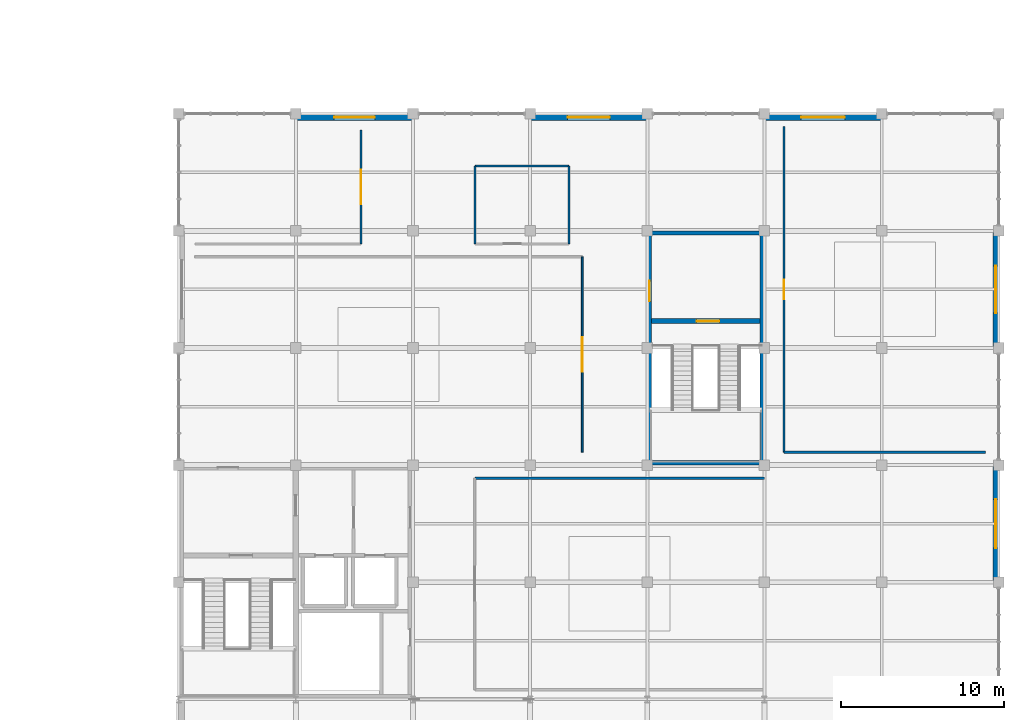
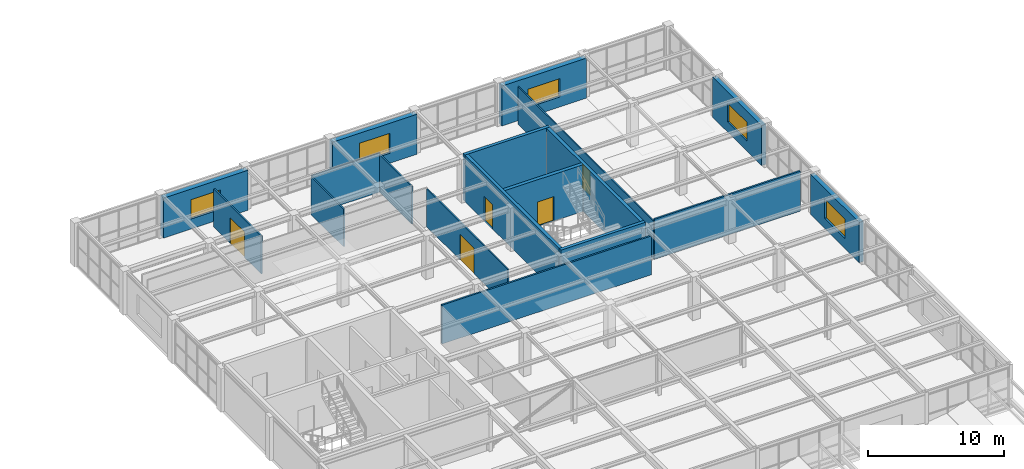
# One storey, part 69 of 83: 18 walls, 5 doors, 5 windows, 10 openings.
"""IFC4 building model written with IfcOpenShell, lengths in metres."""

from ifc_helpers import new_model, si_unit, direction, frame, frame_2d, origin, place, context, subcontext, project, spatial, rectangle, extrude, material, layer, layer_set, type_object, element, fill, save


model = new_model("IFC4")

# Units and contexts
model_context = context("Model", 3, precision=1e-05, world=origin(), true_north=direction((0.0, 1.0)))
body_context = subcontext(model_context, "Body", "Model", "MODEL_VIEW")
ifc_project = project(units=[si_unit("LENGTHUNIT", "METRE"), si_unit("AREAUNIT", "SQUARE_METRE"), si_unit("VOLUMEUNIT", "CUBIC_METRE"), si_unit("PLANEANGLEUNIT", "RADIAN"), si_unit("MASSUNIT", "GRAM", prefix="KILO")], contexts=[model_context])

# Site, building, storey
site_placement = place(None, origin())
site = spatial("IfcSite", under=ifc_project, at=site_placement, CompositionType="ELEMENT")
building_placement = place(site_placement, origin())
building = spatial("IfcBuilding", under=site, at=building_placement, Name="Leyfeld Transit Interchange", CompositionType="ELEMENT")
storey_placement = place(building_placement, frame((0.0, 0.0, 5.39990234375)))
storey = spatial("IfcBuildingStorey", under=building, at=storey_placement, Name="L01", CompositionType="ELEMENT", Elevation=5.39990234375)

# Wall, opening, window
ifc_material_1 = material(Name="Clinker brick masonry - Insulated", Category="masonry")
ifc_layer_1 = layer(ifc_material_1, 0.419921875, Name="Clinker brick masonry - Insulated")
ifc_layer_set_1 = layer_set([ifc_layer_1], Name="Clinker brick masonry - Insulated")
wall_type_1 = type_object("IfcWallType", Name="WL-EXT-BRK-420", PredefinedType="SOLIDWALL", material=ifc_layer_set_1)
wall_1_placement = place(storey_placement, frame((144.0, 93.389892578125, 0.0), z_axis=(0.0, 0.0, 1.0), x_axis=(1.0, 0.0, 0.0)))
wall_1 = element("IfcWall", 1, at=wall_1_placement, inside=storey, type_object=wall_type_1, Name="External Facade Wall EW-L01-062", PredefinedType="SOLIDWALL", context=body_context, shape_type="SweptSolid", body=[
    extrude(rectangle(XDim=7.199951171875, YDim=0.419921875, at=frame_2d((3.60009765625, 0.0))), origin(), (0.0, 0.0, 1.0), 3.60009765625),
])
opening_1_placement = place(wall_1_placement, frame((2.35009765625, 0.0, 0.89990234375)))
opening_1 = element("IfcOpeningElement", 2, at=opening_1_placement, cuts=wall_1, Name="Opening WM-09", PredefinedType="OPENING", context=body_context, shape_type="SweptSolid", body=[
    extrude(rectangle(XDim=2.5, YDim=1.75, at=frame_2d((1.25, 0.875))), frame((0.0, 0.219970703125, 0.0), z_axis=(0.0, -1.0, 0.0), x_axis=(1.0, 0.0, 0.0)), (0.0, 0.0, 1.0), 0.43994140625),
])
ifc_material_2 = material(Name="Triple low-E insulated glazing", Category="glass")
window_type_1 = type_object("IfcWindowType", Name="WIN-MOD-09", PartitioningType="SINGLE_PANEL", PredefinedType="WINDOW", material=ifc_material_2)
window_1_placement = place(opening_1_placement, origin())
window_1 = element("IfcWindow", 3, at=window_1_placement, inside=storey, type_object=window_type_1, Name="Facade Window L01 034", OverallHeight=1.75, OverallWidth=2.5, PartitioningType="SINGLE_PANEL", PredefinedType="WINDOW", context=body_context, shape_type="SweptSolid", body=[
    extrude(rectangle(XDim=2.5, YDim=1.75, at=frame_2d((1.25, 0.875))), frame((0.0, 0.030029296875, 0.0), z_axis=(0.0, -1.0, 0.0), x_axis=(1.0, 0.0, 0.0)), (0.0, 0.0, 1.0), 0.06005859375),
])
fill(opening_1, window_1)

wall_2_placement = place(storey_placement, frame((158.39990234375, 93.389892578125, 0.0), z_axis=(0.0, 0.0, 1.0), x_axis=(1.0, 0.0, 0.0)))
wall_2 = element("IfcWall", 4, at=wall_2_placement, inside=storey, type_object=wall_type_1, Name="External Facade Wall EW-L01-063", PredefinedType="SOLIDWALL", context=body_context, shape_type="SweptSolid", body=[
    extrude(rectangle(XDim=7.2001953125, YDim=0.419921875, at=frame_2d((3.60009765625, 0.0))), origin(), (0.0, 0.0, 1.0), 3.60009765625),
])
opening_2_placement = place(wall_2_placement, frame((2.300048828125, 0.0, 0.89990234375)))
opening_2 = element("IfcOpeningElement", 5, at=opening_2_placement, cuts=wall_2, Name="Opening WM-10", PredefinedType="OPENING", context=body_context, shape_type="SweptSolid", body=[
    extrude(rectangle(XDim=2.60009765625, YDim=1.800048828125, at=frame_2d((1.300048828125, 0.89990234375))), frame((0.0, 0.219970703125, 0.0), z_axis=(0.0, -1.0, 0.0), x_axis=(1.0, 0.0, 0.0)), (0.0, 0.0, 1.0), 0.43994140625),
])
window_type_2 = type_object("IfcWindowType", Name="WIN-MOD-10", PartitioningType="SINGLE_PANEL", PredefinedType="WINDOW", material=ifc_material_2)
window_2_placement = place(opening_2_placement, origin())
window_2 = element("IfcWindow", 6, at=window_2_placement, inside=storey, type_object=window_type_2, Name="Facade Window L01 035", OverallHeight=1.800048828125, OverallWidth=2.60009765625, PartitioningType="SINGLE_PANEL", PredefinedType="WINDOW", context=body_context, shape_type="SweptSolid", body=[
    extrude(rectangle(XDim=2.60009765625, YDim=1.800048828125, at=frame_2d((1.300048828125, 0.89990234375))), frame((0.0, 0.030029296875, 0.0), z_axis=(0.0, -1.0, 0.0), x_axis=(1.0, 0.0, 0.0)), (0.0, 0.0, 1.0), 0.06005859375),
])
fill(opening_2, window_2)

wall_3_placement = place(storey_placement, frame((172.800048828125, 93.389892578125, 0.0), z_axis=(0.0, 0.0, 1.0), x_axis=(1.0, 0.0, 0.0)))
wall_3 = element("IfcWall", 7, at=wall_3_placement, inside=storey, type_object=wall_type_1, Name="External Facade Wall EW-L01-064", PredefinedType="SOLIDWALL", context=body_context, shape_type="SweptSolid", body=[
    extrude(rectangle(XDim=7.199951171875, YDim=0.419921875, at=frame_2d((3.60009765625, 0.0))), origin(), (0.0, 0.0, 1.0), 3.60009765625),
])
opening_3_placement = place(wall_3_placement, frame((2.25, 0.0, 0.89990234375)))
opening_3 = element("IfcOpeningElement", 8, at=opening_3_placement, cuts=wall_3, Name="Opening WM-11", PredefinedType="OPENING", context=body_context, shape_type="SweptSolid", body=[
    extrude(rectangle(XDim=2.699951171875, YDim=1.64990234375, at=frame_2d((1.35009765625, 0.824951171875))), frame((0.0, 0.219970703125, 0.0), z_axis=(0.0, -1.0, 0.0), x_axis=(1.0, 0.0, 0.0)), (0.0, 0.0, 1.0), 0.43994140625),
])
window_type_3 = type_object("IfcWindowType", Name="WIN-MOD-11", PartitioningType="SINGLE_PANEL", PredefinedType="WINDOW", material=ifc_material_2)
window_3_placement = place(opening_3_placement, origin())
window_3 = element("IfcWindow", 9, at=window_3_placement, inside=storey, type_object=window_type_3, Name="Facade Window L01 036", OverallHeight=1.64990234375, OverallWidth=2.699951171875, PartitioningType="SINGLE_PANEL", PredefinedType="WINDOW", context=body_context, shape_type="SweptSolid", body=[
    extrude(rectangle(XDim=2.699951171875, YDim=1.64990234375, at=frame_2d((1.35009765625, 0.824951171875))), frame((0.0, 0.030029296875, 0.0), z_axis=(0.0, -1.0, 0.0), x_axis=(1.0, 0.0, 0.0)), (0.0, 0.0, 1.0), 0.06005859375),
])
fill(opening_3, window_3)

ifc_material_3 = material(Name="Leitha limestone ashlar - Insulated", Category="masonry")
ifc_layer_2 = layer(ifc_material_3, 0.360107421875, Name="Leitha limestone ashlar - Insulated")
ifc_layer_set_2 = layer_set([ifc_layer_2], Name="Leitha limestone ashlar - Insulated")
wall_type_2 = type_object("IfcWallType", Name="WL-EXT-STN-360", PredefinedType="SOLIDWALL", material=ifc_layer_set_2)
wall_4_placement = place(storey_placement, frame((187.02001953125, 86.39990234375, 0.0), z_axis=(0.0, 0.0, 1.0), x_axis=(0.0, -1.0, 0.0)))
wall_4 = element("IfcWall", 10, at=wall_4_placement, inside=storey, type_object=wall_type_2, Name="External Facade Wall EW-L01-065", PredefinedType="SOLIDWALL", context=body_context, shape_type="SweptSolid", body=[
    extrude(rectangle(XDim=7.199951171875, YDim=0.360107421875, at=frame_2d((3.60009765625, 0.0))), origin(), (0.0, 0.0, 1.0), 3.6201171875),
])
opening_4_placement = place(wall_4_placement, frame((2.14990234375, 0.0, 0.89990234375)))
opening_4 = element("IfcOpeningElement", 11, at=opening_4_placement, cuts=wall_4, Name="Opening WM-12", PredefinedType="OPENING", context=body_context, shape_type="SweptSolid", body=[
    extrude(rectangle(XDim=2.89990234375, YDim=1.699951171875, at=frame_2d((1.449951171875, 0.85009765625))), frame((0.0, 0.18994140625, 0.0), z_axis=(0.0, -1.0, 0.0), x_axis=(1.0, 0.0, 0.0)), (0.0, 0.0, 1.0), 0.380126953125),
])
window_type_4 = type_object("IfcWindowType", Name="WIN-MOD-12", PartitioningType="SINGLE_PANEL", PredefinedType="WINDOW", material=ifc_material_2)
window_4_placement = place(opening_4_placement, origin())
window_4 = element("IfcWindow", 12, at=window_4_placement, inside=storey, type_object=window_type_4, Name="Facade Window L01 037", OverallHeight=1.699951171875, OverallWidth=2.89990234375, PartitioningType="SINGLE_PANEL", PredefinedType="WINDOW", context=body_context, shape_type="SweptSolid", body=[
    extrude(rectangle(XDim=2.89990234375, YDim=1.699951171875, at=frame_2d((1.449951171875, 0.85009765625))), frame((0.0, 0.030029296875, 0.0), z_axis=(0.0, -1.0, 0.0), x_axis=(1.0, 0.0, 0.0)), (0.0, 0.0, 1.0), 0.06005859375),
])
fill(opening_4, window_4)

wall_5_placement = place(storey_placement, frame((187.02001953125, 72.0, 0.0), z_axis=(0.0, 0.0, 1.0), x_axis=(0.0, -1.0, 0.0)))
wall_5 = element("IfcWall", 13, at=wall_5_placement, inside=storey, type_object=wall_type_2, Name="External Facade Wall EW-L01-066", PredefinedType="SOLIDWALL", context=body_context, shape_type="SweptSolid", body=[
    extrude(rectangle(XDim=7.199951171875, YDim=0.360107421875, at=frame_2d((3.60009765625, 0.0))), origin(), (0.0, 0.0, 1.0), 3.6201171875),
])
opening_5_placement = place(wall_5_placement, frame((2.10009765625, 0.0, 0.89990234375)))
opening_5 = element("IfcOpeningElement", 14, at=opening_5_placement, cuts=wall_5, Name="Opening WM-13", PredefinedType="OPENING", context=body_context, shape_type="SweptSolid", body=[
    extrude(rectangle(XDim=3.0, YDim=1.75, at=frame_2d((1.5, 0.875))), frame((0.0, 0.18994140625, 0.0), z_axis=(0.0, -1.0, 0.0), x_axis=(1.0, 0.0, 0.0)), (0.0, 0.0, 1.0), 0.380126953125),
])
window_type_5 = type_object("IfcWindowType", Name="WIN-MOD-13", PartitioningType="SINGLE_PANEL", PredefinedType="WINDOW", material=ifc_material_2)
window_5_placement = place(opening_5_placement, origin())
window_5 = element("IfcWindow", 15, at=window_5_placement, inside=storey, type_object=window_type_5, Name="Facade Window L01 038", OverallHeight=1.75, OverallWidth=3.0, PartitioningType="SINGLE_PANEL", PredefinedType="WINDOW", context=body_context, shape_type="SweptSolid", body=[
    extrude(rectangle(XDim=3.0, YDim=1.75, at=frame_2d((1.5, 0.875))), frame((0.0, 0.030029296875, 0.0), z_axis=(0.0, -1.0, 0.0), x_axis=(1.0, 0.0, 0.0)), (0.0, 0.0, 1.0), 0.06005859375),
])
fill(opening_5, window_5)

# Wall, opening, door
ifc_material_4 = material(Name="Laminated safety acoustic glazing", Category="glass")
ifc_layer_3 = layer(ifc_material_4, 0.10498046875, Name="Laminated safety acoustic glazing")
ifc_layer_set_3 = layer_set([ifc_layer_3], Name="Laminated safety acoustic glazing")
wall_type_3 = type_object("IfcWallType", Name="WL-INT-GLZ-105", PredefinedType="PARTITIONING", material=ifc_layer_set_3)
wall_6_placement = place(storey_placement, frame((174.0, 72.800048828125, 0.0), z_axis=(0.0, 0.0, 1.0), x_axis=(0.0, 1.0, 0.0)))
wall_6 = element("IfcWall", 16, at=wall_6_placement, inside=storey, type_object=wall_type_3, Name="Interior Partition L01-LNG-V4E W", PredefinedType="PARTITIONING", context=body_context, shape_type="SweptSolid", body=[
    extrude(rectangle(XDim=20.0, YDim=0.10498046875, at=frame_2d((10.0, 0.0))), origin(), (0.0, 0.0, 1.0), 3.400146484375),
])
opening_6_placement = place(wall_6_placement, frame((9.409912109375, 0.0, 0.0)))
opening_6 = element("IfcOpeningElement", 17, at=opening_6_placement, cuts=wall_6, Name="Opening DU-07", PredefinedType="OPENING", context=body_context, shape_type="SweptSolid", body=[
    extrude(rectangle(XDim=1.179931640625, YDim=2.179931640625, at=frame_2d((0.58984375, 1.08984375))), frame((0.0, 0.0625, 0.0), z_axis=(0.0, -1.0, 0.0), x_axis=(1.0, 0.0, 0.0)), (0.0, 0.0, 1.0), 0.125),
])
ifc_material_5 = material(Name="Austrian larch glulam GL28h", Category="wood")
door_type_1 = type_object("IfcDoorType", Name="DR-UNQ-07", OperationType="NOTDEFINED", PredefinedType="DOOR", material=ifc_material_5)
door_1_placement = place(opening_6_placement, origin())
door_1 = element("IfcDoor", 18, at=door_1_placement, inside=storey, type_object=door_type_1, Name="DR-L01-LNG-V4E", OperationType="SINGLE_SWING_LEFT", OverallHeight=2.179931640625, OverallWidth=1.179931640625, PredefinedType="DOOR", context=body_context, shape_type="SweptSolid", body=[
    extrude(rectangle(XDim=1.179931640625, YDim=2.179931640625, at=frame_2d((0.58984375, 1.08984375))), frame((0.0, 0.02490234375, 0.0), z_axis=(0.0, -1.0, 0.0), x_axis=(1.0, 0.0, 0.0)), (0.0, 0.0, 1.0), 0.050048828125),
])
fill(opening_6, door_1)

ifc_material_6 = material(Name="Gypsum plasterboard acoustic stud", Category="gypsum")
ifc_layer_4 = layer(ifc_material_6, 0.114990234375, Name="Gypsum plasterboard acoustic stud")
ifc_layer_set_4 = layer_set([ifc_layer_4], Name="Gypsum plasterboard acoustic stud")
wall_type_4 = type_object("IfcWallType", Name="WL-INT-OFF-115", PredefinedType="PARTITIONING", material=ifc_layer_set_4)
wall_7_placement = place(storey_placement, frame((161.60009765625, 84.800048828125, 0.0), z_axis=(0.0, 0.0, 1.0), x_axis=(0.0, -1.0, 0.0)))
wall_7 = element("IfcWall", 19, at=wall_7_placement, inside=storey, type_object=wall_type_4, Name="Interior Partition L01-COW-01 E", PredefinedType="PARTITIONING", context=body_context, shape_type="SweptSolid", body=[
    extrude(rectangle(XDim=12.0, YDim=0.114990234375, at=frame_2d((6.0, 0.0))), origin(), (0.0, 0.0, 1.0), 3.400146484375),
])
opening_7_placement = place(wall_7_placement, frame((4.949951171875, 0.0, 0.0)))
opening_7 = element("IfcOpeningElement", 20, at=opening_7_placement, cuts=wall_7, Name="Opening DV-10", PredefinedType="OPENING", context=body_context, shape_type="SweptSolid", body=[
    extrude(rectangle(XDim=2.10009765625, YDim=2.300048828125, at=frame_2d((1.050048828125, 1.14990234375))), frame((0.0, 0.0673828125, 0.0), z_axis=(0.0, -1.0, 0.0), x_axis=(1.0, 0.0, 0.0)), (0.0, 0.0, 1.0), 0.135009765625),
])
door_type_2 = type_object("IfcDoorType", Name="DR-VAR-10", OperationType="NOTDEFINED", PredefinedType="DOOR", material=ifc_material_5)
door_2_placement = place(opening_7_placement, origin())
door_2 = element("IfcDoor", 21, at=door_2_placement, inside=storey, type_object=door_type_2, Name="DR-L01-COW-01", OperationType="DOUBLE_DOOR_SINGLE_SWING", OverallHeight=2.300048828125, OverallWidth=2.10009765625, PredefinedType="DOOR", context=body_context, shape_type="SweptSolid", body=[
    extrude(rectangle(XDim=2.10009765625, YDim=2.300048828125, at=frame_2d((1.050048828125, 1.14990234375))), frame((0.0, 0.02490234375, 0.0), z_axis=(0.0, -1.0, 0.0), x_axis=(1.0, 0.0, 0.0)), (0.0, 0.0, 1.0), 0.050048828125),
])
fill(opening_7, door_2)

# Walls
ifc_layer_5 = layer(ifc_material_6, 0.14501953125, Name="Gypsum plasterboard acoustic stud")
ifc_layer_set_5 = layer_set([ifc_layer_5], Name="Gypsum plasterboard acoustic stud")
wall_type_5 = type_object("IfcWallType", Name="WL-INT-STD-145", PredefinedType="PARTITIONING", material=ifc_layer_set_5)
wall_8_placement = place(storey_placement, frame((155.0, 71.199951171875, 0.0), z_axis=(0.0, 0.0, 1.0), x_axis=(1.0, 0.0, 0.0)))
element("IfcWall", 22, at=wall_8_placement, inside=storey, type_object=wall_type_5, Name="Interior Partition L01-FAM-01 N", PredefinedType="PARTITIONING", context=body_context, shape_type="SweptSolid", body=[
    extrude(rectangle(XDim=17.800048828125, YDim=0.14501953125, at=frame_2d((8.89990234375, 0.0))), origin(), (0.0, 0.0, 1.0), 3.5),
])
wall_9_placement = place(storey_placement, frame((186.39990234375, 72.800048828125, 0.0), z_axis=(0.0, 0.0, 1.0), x_axis=(-1.0, 0.0, 0.0)))
element("IfcWall", 23, at=wall_9_placement, inside=storey, type_object=wall_type_5, Name="Interior Partition L01-LNG-V4E S", PredefinedType="PARTITIONING", context=body_context, shape_type="SweptSolid", body=[
    extrude(rectangle(XDim=12.39990234375, YDim=0.14501953125, at=frame_2d((6.199951171875, 0.0))), origin(), (0.0, 0.0, 1.0), 3.60009765625),
])

# Wall, opening, door
ifc_material_7 = material(Name="Autoclaved aerated blockwork G4", Category="masonry")
ifc_layer_6 = layer(ifc_material_7, 0.125, Name="Autoclaved aerated blockwork G4")
ifc_layer_set_6 = layer_set([ifc_layer_6], Name="Autoclaved aerated blockwork G4")
wall_type_6 = type_object("IfcWallType", Name="WL-INT-WC-125", PredefinedType="PARTITIONING", material=ifc_layer_set_6)
wall_10_placement = place(storey_placement, frame((148.0, 92.60009765625, 0.0), z_axis=(0.0, 0.0, 1.0), x_axis=(0.0, -1.0, 0.0)))
wall_10 = element("IfcWall", 24, at=wall_10_placement, inside=storey, type_object=wall_type_6, Name="Interior Partition L01-WCM-01 E", PredefinedType="PARTITIONING", context=body_context, shape_type="SweptSolid", body=[
    extrude(rectangle(XDim=7.0, YDim=0.125, at=frame_2d((3.5, 0.0))), origin(), (0.0, 0.0, 1.0), 3.400146484375),
])
opening_8_placement = place(wall_10_placement, frame((2.449951171875, 0.0, 0.0)))
opening_8 = element("IfcOpeningElement", 25, at=opening_8_placement, cuts=wall_10, Name="Opening DV-10", PredefinedType="OPENING", context=body_context, shape_type="SweptSolid", body=[
    extrude(rectangle(XDim=2.10009765625, YDim=2.300048828125, at=frame_2d((1.050048828125, 1.14990234375))), frame((0.0, 0.072509765625, 0.0), z_axis=(0.0, -1.0, 0.0), x_axis=(1.0, 0.0, 0.0)), (0.0, 0.0, 1.0), 0.14501953125),
])
door_3_placement = place(opening_8_placement, origin())
door_3 = element("IfcDoor", 26, at=door_3_placement, inside=storey, type_object=door_type_2, Name="DR-L01-WCM-01", OperationType="DOUBLE_DOOR_SINGLE_SWING", OverallHeight=2.300048828125, OverallWidth=2.10009765625, PredefinedType="DOOR", context=body_context, shape_type="SweptSolid", body=[
    extrude(rectangle(XDim=2.10009765625, YDim=2.300048828125, at=frame_2d((1.050048828125, 1.14990234375))), frame((0.0, 0.02490234375, 0.0), z_axis=(0.0, -1.0, 0.0), x_axis=(1.0, 0.0, 0.0)), (0.0, 0.0, 1.0), 0.050048828125),
])
fill(opening_8, door_3)

# Walls
wall_11_placement = place(storey_placement, frame((155.0, 90.39990234375, 0.0), z_axis=(0.0, 0.0, 1.0), x_axis=(1.0, 0.0, 0.0)))
element("IfcWall", 27, at=wall_11_placement, inside=storey, type_object=wall_type_6, Name="Interior Partition L01-WCA-02 N", PredefinedType="PARTITIONING", context=body_context, shape_type="SweptSolid", body=[
    extrude(rectangle(XDim=5.800048828125, YDim=0.125, at=frame_2d((2.89990234375, 0.0))), origin(), (0.0, 0.0, 1.0), 3.5),
])
for number, where, z_axis, x_axis, name in (
    (28, (160.800048828125, 90.39990234375, 0.0), (0.0, 0.0, 1.0), (0.0, -1.0, 0.0), "Interior Partition L01-WCA-02 E"),
    (29, (155.0, 85.60009765625, 0.0), (0.0, 0.0, 1.0), (0.0, 1.0, 0.0), "Interior Partition L01-WCA-02 W"),
):
    element("IfcWall", number, at=place(storey_placement, frame(where, z_axis=z_axis, x_axis=x_axis)), inside=storey, type_object=wall_type_6, Name=name, PredefinedType="PARTITIONING", context=body_context, shape_type="SweptSolid", body=[
        extrude(rectangle(XDim=4.7998046875, YDim=0.125, at=frame_2d((2.39990234375, 0.0))), origin(), (0.0, 0.0, 1.0), 3.400146484375),
    ])

# Wall, opening, door
ifc_material_8 = material(Name="Concrete C35/45", Category="concrete")
ifc_layer_7 = layer(ifc_material_8, 0.300048828125, Name="Concrete C35/45")
ifc_layer_set_7 = layer_set([ifc_layer_7], Name="Concrete C35/45")
wall_type_7 = type_object("IfcWallType", Name="WL-SH-300", PredefinedType="SHEAR", material=ifc_layer_set_7)
wall_12_placement = place(storey_placement, frame((165.8701171875, 80.85009765625, 0.0), z_axis=(0.0, 0.0, 1.0), x_axis=(1.0, 0.0, 0.0)))
wall_12 = element("IfcWall", 30, at=wall_12_placement, inside=storey, type_object=wall_type_7, Name="Core K5 Shear Wall STRN L01", PredefinedType="SHEAR", context=body_context, shape_type="SweptSolid", body=[
    extrude(rectangle(XDim=6.659912109375, YDim=0.300048828125, at=frame_2d((3.330078125, 0.0))), origin(), (0.0, 0.0, 1.0), 4.2001953125),
])
opening_9_placement = place(wall_12_placement, frame((2.764892578125, 0.0, 0.0)))
opening_9 = element("IfcOpeningElement", 31, at=opening_9_placement, cuts=wall_12, Name="Opening DI-01", PredefinedType="OPENING", context=body_context, shape_type="SweptSolid", body=[
    extrude(rectangle(XDim=1.39990234375, YDim=2.199951171875, at=frame_2d((0.699951171875, 1.10009765625))), frame((0.0, 0.159912109375, 0.0), z_axis=(0.0, -1.0, 0.0), x_axis=(1.0, 0.0, 0.0)), (0.0, 0.0, 1.0), 0.320068359375),
])
ifc_material_9 = material(Name="Galvanised steel S275JR", Category="steel")
door_type_3 = type_object("IfcDoorType", Name="DR-STR-1400x2200", OperationType="NOTDEFINED", PredefinedType="DOOR", material=ifc_material_9)
door_4_placement = place(opening_9_placement, origin())
door_4 = element("IfcDoor", 32, at=door_4_placement, inside=storey, type_object=door_type_3, Name="DR-STR-INT-K5-L01", OperationType="SINGLE_SWING_LEFT", OverallHeight=2.199951171875, OverallWidth=1.39990234375, PredefinedType="DOOR", context=body_context, shape_type="SweptSolid", body=[
    extrude(rectangle(XDim=1.39990234375, YDim=2.199951171875, at=frame_2d((0.699951171875, 1.10009765625))), frame((0.0, 0.02490234375, 0.0), z_axis=(0.0, -1.0, 0.0), x_axis=(1.0, 0.0, 0.0)), (0.0, 0.0, 1.0), 0.050048828125),
])
fill(opening_9, door_4)

# Walls
ifc_layer_8 = layer(ifc_material_8, 0.27001953125, Name="Concrete C35/45")
ifc_layer_set_8 = layer_set([ifc_layer_8], Name="Concrete C35/45")
wall_type_8 = type_object("IfcWallType", Name="WL-SH-VAR-270", PredefinedType="SHEAR", material=ifc_layer_set_8)
wall_13_placement = place(storey_placement, frame((165.60009765625, 86.264892578125, 0.0), z_axis=(0.0, 0.0, 1.0), x_axis=(1.0, 0.0, 0.0)))
element("IfcWall", 33, at=wall_13_placement, inside=storey, type_object=wall_type_8, Name="Core K5 Shear Wall N L01", PredefinedType="SHEAR", context=body_context, shape_type="SweptSolid", body=[
    extrude(rectangle(XDim=7.199951171875, YDim=0.27001953125, at=frame_2d((3.60009765625, 0.0))), origin(), (0.0, 0.0, 1.0), 4.2001953125),
])
wall_14_placement = place(storey_placement, frame((172.6650390625, 86.1298828125, 0.0), z_axis=(0.0, 0.0, 1.0), x_axis=(0.0, -1.0, 0.0)))
element("IfcWall", 34, at=wall_14_placement, inside=storey, type_object=wall_type_8, Name="Core K5 Shear Wall E L01", PredefinedType="SHEAR", context=body_context, shape_type="SweptSolid", body=[
    extrude(rectangle(XDim=13.85986328125, YDim=0.27001953125, at=frame_2d((6.929931640625, 0.0))), origin(), (0.0, 0.0, 1.0), 4.2001953125),
])
wall_15_placement = place(storey_placement, frame((172.800048828125, 72.135009765625, 0.0), z_axis=(0.0, 0.0, 1.0), x_axis=(-1.0, 0.0, 0.0)))
element("IfcWall", 35, at=wall_15_placement, inside=storey, type_object=wall_type_8, Name="Core K5 Shear Wall S L01", PredefinedType="SHEAR", context=body_context, shape_type="SweptSolid", body=[
    extrude(rectangle(XDim=7.199951171875, YDim=0.27001953125, at=frame_2d((3.60009765625, 0.0))), origin(), (0.0, 0.0, 1.0), 4.2001953125),
])

# Wall, opening, door
wall_16_placement = place(storey_placement, frame((165.735107421875, 72.27001953125, 0.0), z_axis=(0.0, 0.0, 1.0), x_axis=(0.0, 1.0, 0.0)))
wall_16 = element("IfcWall", 36, at=wall_16_placement, inside=storey, type_object=wall_type_8, Name="Core K5 Shear Wall W L01", PredefinedType="SHEAR", context=body_context, shape_type="SweptSolid", body=[
    extrude(rectangle(XDim=13.85986328125, YDim=0.27001953125, at=frame_2d((6.929931640625, 0.0))), origin(), (0.0, 0.0, 1.0), 4.2001953125),
])
opening_10_placement = place(wall_16_placement, frame((9.800048828125, 0.0, 0.0)))
opening_10 = element("IfcOpeningElement", 37, at=opening_10_placement, cuts=wall_16, Name="Opening DI-02", PredefinedType="OPENING", context=body_context, shape_type="SweptSolid", body=[
    extrude(rectangle(XDim=1.25, YDim=2.199951171875, at=frame_2d((0.625, 1.10009765625))), frame((0.0, 0.14501953125, 0.0), z_axis=(0.0, -1.0, 0.0), x_axis=(1.0, 0.0, 0.0)), (0.0, 0.0, 1.0), 0.2900390625),
])
door_type_4 = type_object("IfcDoorType", Name="DR-FFL-1250x2200", OperationType="NOTDEFINED", PredefinedType="DOOR", material=ifc_material_9)
door_5_placement = place(opening_10_placement, origin())
door_5 = element("IfcDoor", 38, at=door_5_placement, inside=storey, type_object=door_type_4, Name="DR-CORE-OUT-K5-L01", OperationType="SINGLE_SWING_RIGHT", OverallHeight=2.199951171875, OverallWidth=1.25, PredefinedType="DOOR", context=body_context, shape_type="SweptSolid", body=[
    extrude(rectangle(XDim=1.25, YDim=2.199951171875, at=frame_2d((0.625, 1.10009765625))), frame((0.0, 0.02490234375, 0.0), z_axis=(0.0, -1.0, 0.0), x_axis=(1.0, 0.0, 0.0)), (0.0, 0.0, 1.0), 0.050048828125),
])
fill(opening_10, door_5)

save(model, "model.ifc")
